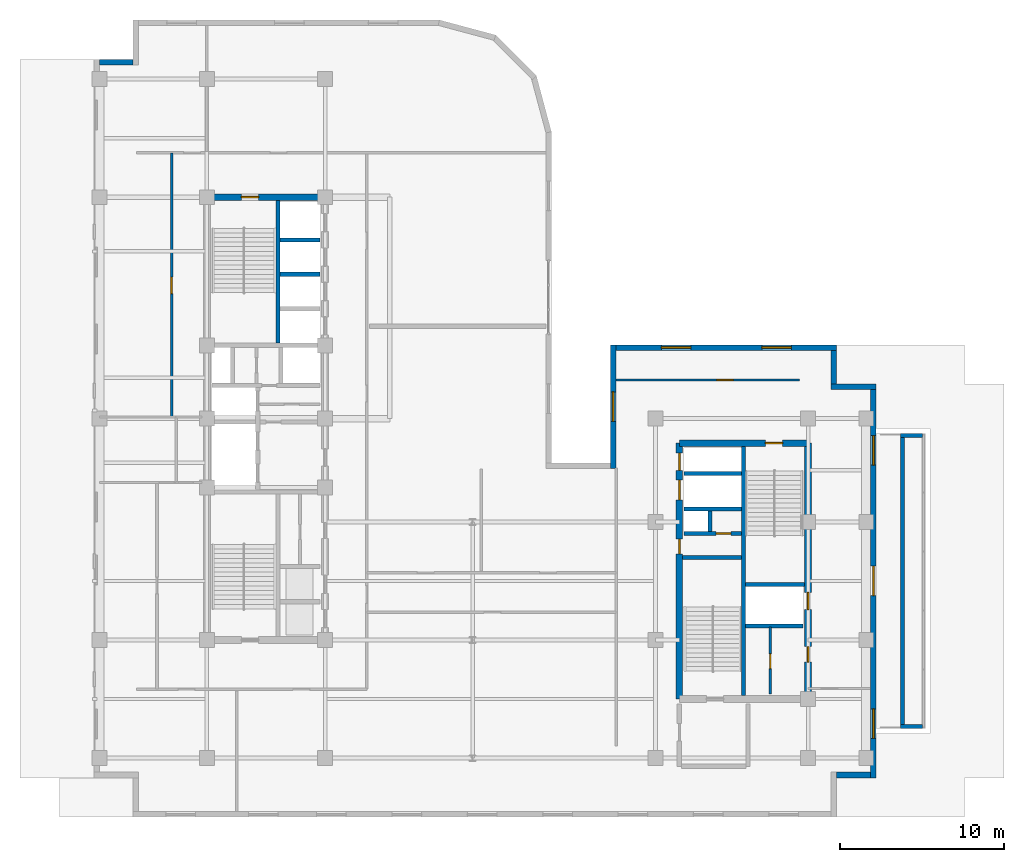
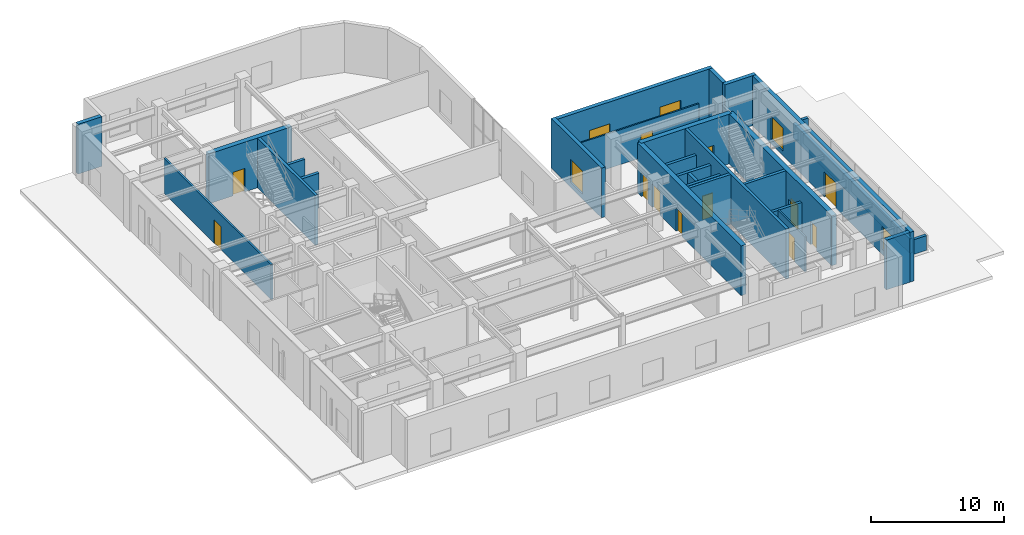
# One storey, part 9 of 16: 28 walls, 12 doors, 5 windows, 17 openings.
"""IFC4 building model written with IfcOpenShell, lengths in metres."""

from ifc_helpers import new_model, entity, si_unit, converted_unit, direction, frame, origin_with_axes, origin_2d_with_axis, place, context, subcontext, project, spatial, polyline, rectangle, outline, extrude, material, layer, layer_set, type_object, element, fill, save


model = new_model("IFC4")

# Units and contexts
model_context = context("Model", 3, precision=1e-05, world=origin_with_axes(), true_north=direction((0.0, 1.0)))
body_context = subcontext(model_context, "Body", "Model", "MODEL_VIEW")
ifc_project = project(units=[si_unit("LENGTHUNIT", "METRE"), si_unit("AREAUNIT", "SQUARE_METRE"), si_unit("VOLUMEUNIT", "CUBIC_METRE"), converted_unit("PLANEANGLEUNIT", "DEGREE", entity("IfcPlaneAngleMeasure", 0.017453292519943295), si_unit("PLANEANGLEUNIT", "RADIAN"), dimensions=[0, 0, 0, 0, 0, 0, 0]), si_unit("MASSUNIT", "GRAM", prefix="KILO"), si_unit("THERMODYNAMICTEMPERATUREUNIT", "KELVIN")], contexts=[model_context])

# Site, building, storey
site_placement = place(None, origin_with_axes())
site = spatial("IfcSite", under=ifc_project, at=site_placement, CompositionType="ELEMENT")
building_placement = place(site_placement, origin_with_axes())
building = spatial("IfcBuilding", under=site, at=building_placement, Name="Varnlund Millrace Tower", CompositionType="ELEMENT")
storey_placement = place(building_placement, frame((0.0, 0.0, 219.9), z_axis=(0.0, 0.0, 1.0), x_axis=(1.0, 0.0, 0.0)))
storey = spatial("IfcBuildingStorey", under=building, at=storey_placement, Name="L54", CompositionType="ELEMENT", Elevation=219.9)

# Wall, opening, door
ifc_material_1 = material(Name="Concrete C60/75", Category="concrete")
ifc_layer_1 = layer(ifc_material_1, 0.42, Name="Concrete C60/75")
ifc_layer_set_1 = layer_set([ifc_layer_1], Name="Concrete C60/75")
wall_type_1 = type_object("IfcWallType", Name="Type-CoreWall-Shear-420-C60", PredefinedType="SHEAR", material=ifc_layer_set_1)
wall_1_placement = place(storey_placement, frame((11.4, 37.8, 0.0), z_axis=(0.0, 0.0, 1.0), x_axis=(1.0, 0.0, 0.0)))
wall_1 = element("IfcWall", 1, at=wall_1_placement, inside=storey, type_object=wall_type_1, Name="Type-CoreWall-Shear-420-C60", PredefinedType="SHEAR", context=body_context, shape_type="SweptSolid", body=[
    extrude(outline(polyline([(0.0, -0.21), (7.2, -0.21), (7.2, 0.21), (0.0, 0.21), (0.0, -0.21)])), origin_with_axes(), (0.0, 0.0, 1.0), 4.56),
])
opening_1_placement = place(wall_1_placement, frame((2.625, 0.0, 0.0), z_axis=(0.0, 0.0, 1.0), x_axis=(1.0, 0.0, 0.0)))
opening_1 = element("IfcOpeningElement", 2, at=opening_1_placement, cuts=wall_1, Name="Opening L54:DR-STA2", PredefinedType="OPENING", context=body_context, shape_type="SweptSolid", body=[
    extrude(rectangle(XDim=1.05, YDim=0.44, at=origin_2d_with_axis()), origin_with_axes(), (0.0, 0.0, 1.0), 2.15),
])
ifc_material_2 = material(Name="Fire-rated hollow steel door", Category="steel")
door_type_1 = type_object("IfcDoorType", Name="Type-FireDoor-Stair-1050X2150", OperationType="NOTDEFINED", PredefinedType="DOOR", material=ifc_material_2)
door_1_placement = place(wall_1_placement, frame((2.625, 0.0, 0.0), z_axis=(0.0, 0.0, 1.0), x_axis=(1.0, 0.0, 0.0)))
door_1 = element("IfcDoor", 3, at=door_1_placement, inside=storey, type_object=door_type_1, Name="Type-FireDoor-Stair-1050X2150", OperationType="SINGLE_SWING_RIGHT", OverallHeight=2.15, OverallWidth=1.05, PredefinedType="DOOR", context=body_context, shape_type="SweptSolid", body=[
    extrude(rectangle(XDim=1.05, YDim=0.09, at=origin_2d_with_axis()), origin_with_axes(), (0.0, 0.0, 1.0), 2.15),
])
fill(opening_1, door_1)

# Wall, openings, doors
wall_2_placement = place(storey_placement, frame((40.2, 7.2, 0.0), z_axis=(0.0, 0.0, 1.0), x_axis=(0.0, 1.0, 0.0)))
wall_2 = element("IfcWall", 4, at=wall_2_placement, inside=storey, type_object=wall_type_1, Name="Type-CoreWall-Shear-420-C60", PredefinedType="SHEAR", context=body_context, shape_type="SweptSolid", body=[
    extrude(outline(polyline([(0.0, -0.21), (15.6, -0.21), (15.6, 0.21), (0.0, 0.21), (0.0, -0.21)])), origin_with_axes(), (0.0, 0.0, 1.0), 4.56),
])
opening_2_placement = place(wall_2_placement, frame((14.475, 0.0, 0.0), z_axis=(0.0, 0.0, 1.0), x_axis=(1.0, 0.0, 0.0)))
opening_2 = element("IfcOpeningElement", 5, at=opening_2_placement, cuts=wall_2, Name="Opening L54:LD-ELV-M4", PredefinedType="OPENING", context=body_context, shape_type="SweptSolid", body=[
    extrude(rectangle(XDim=1.05, YDim=0.44, at=origin_2d_with_axis()), origin_with_axes(), (0.0, 0.0, 1.0), 2.15),
])
opening_3_placement = place(wall_2_placement, frame((12.75, 0.0, 0.0), z_axis=(0.0, 0.0, 1.0), x_axis=(1.0, 0.0, 0.0)))
opening_3 = element("IfcOpeningElement", 6, at=opening_3_placement, cuts=wall_2, Name="Opening L54:LD-SRV2", PredefinedType="OPENING", context=body_context, shape_type="SweptSolid", body=[
    extrude(rectangle(XDim=1.2, YDim=0.44, at=origin_2d_with_axis()), origin_with_axes(), (0.0, 0.0, 1.0), 2.15),
])
opening_4_placement = place(wall_2_placement, frame((9.3, 0.0, 0.0), z_axis=(0.0, 0.0, 1.0), x_axis=(1.0, 0.0, 0.0)))
opening_4 = element("IfcOpeningElement", 7, at=opening_4_placement, cuts=wall_2, Name="Opening L54:DR-CB-JAN", PredefinedType="OPENING", context=body_context, shape_type="SweptSolid", body=[
    extrude(rectangle(XDim=0.9, YDim=0.44, at=origin_2d_with_axis()), origin_with_axes(), (0.0, 0.0, 1.0), 2.15),
])
ifc_material_3 = material(Name="Fire-rated hollow steel service closet door", Category="steel")
door_type_2 = type_object("IfcDoorType", Name="Type-FireDoor-Closet-900X2150", OperationType="NOTDEFINED", PredefinedType="DOOR", material=ifc_material_3)
door_2_placement = place(wall_2_placement, frame((9.3, 0.0, 0.0), z_axis=(0.0, 0.0, 1.0), x_axis=(1.0, 0.0, 0.0)))
door_2 = element("IfcDoor", 8, at=door_2_placement, inside=storey, type_object=door_type_2, Name="Type-FireDoor-Closet-900X2150", OperationType="SINGLE_SWING_RIGHT", OverallHeight=2.15, OverallWidth=0.9, PredefinedType="DOOR", context=body_context, shape_type="SweptSolid", body=[
    extrude(rectangle(XDim=0.9, YDim=0.09, at=origin_2d_with_axis()), origin_with_axes(), (0.0, 0.0, 1.0), 2.15),
])
fill(opening_4, door_2)
ifc_material_4 = material(Name="Architectural bronze sliding landing door")
door_type_3 = type_object("IfcDoorType", Name="Type-LiftLandingDoor-Compact-1050X2150", OperationType="NOTDEFINED", PredefinedType="DOOR", material=ifc_material_4)
door_3_placement = place(wall_2_placement, frame((14.475, 0.0, 0.0), z_axis=(0.0, 0.0, 1.0), x_axis=(1.0, 0.0, 0.0)))
door_3 = element("IfcDoor", 9, at=door_3_placement, inside=storey, type_object=door_type_3, Name="Type-LiftLandingDoor-Compact-1050X2150", OperationType="SLIDING_TO_RIGHT", OverallHeight=2.15, OverallWidth=1.05, PredefinedType="DOOR", context=body_context, shape_type="SweptSolid", body=[
    extrude(rectangle(XDim=1.05, YDim=0.09, at=origin_2d_with_axis()), origin_with_axes(), (0.0, 0.0, 1.0), 2.15),
])
fill(opening_2, door_3)
ifc_material_5 = material(Name="Heavy-duty freight sliding landing door")
door_type_4 = type_object("IfcDoorType", Name="Type-LiftLandingDoor-Service-1200X2150", OperationType="NOTDEFINED", PredefinedType="DOOR", material=ifc_material_5)
door_4_placement = place(wall_2_placement, frame((12.75, 0.0, 0.0), z_axis=(0.0, 0.0, 1.0), x_axis=(1.0, 0.0, 0.0)))
door_4 = element("IfcDoor", 10, at=door_4_placement, inside=storey, type_object=door_type_4, Name="Type-LiftLandingDoor-Service-1200X2150", OperationType="DOUBLE_DOOR_SLIDING", OverallHeight=2.15, OverallWidth=1.2, PredefinedType="DOOR", context=body_context, shape_type="SweptSolid", body=[
    extrude(rectangle(XDim=1.2, YDim=0.09, at=origin_2d_with_axis()), origin_with_axes(), (0.0, 0.0, 1.0), 2.15),
])
fill(opening_3, door_4)

# Wall, opening, door
wall_3_placement = place(storey_placement, frame((40.2, 22.8, 0.0), z_axis=(0.0, 0.0, 1.0), x_axis=(1.0, 0.0, 0.0)))
wall_3 = element("IfcWall", 11, at=wall_3_placement, inside=storey, type_object=wall_type_1, Name="Type-CoreWall-Shear-420-C60", PredefinedType="SHEAR", context=body_context, shape_type="SweptSolid", body=[
    extrude(outline(polyline([(0.0, -0.21), (7.85, -0.21), (7.85, 0.21), (0.0, 0.21), (0.0, -0.21)])), origin_with_axes(), (0.0, 0.0, 1.0), 4.56),
])
opening_5_placement = place(wall_3_placement, frame((5.775, 0.0, 0.0), z_axis=(0.0, 0.0, 1.0), x_axis=(1.0, 0.0, 0.0)))
opening_5 = element("IfcOpeningElement", 12, at=opening_5_placement, cuts=wall_3, Name="Opening L54:DR-STB2", PredefinedType="OPENING", context=body_context, shape_type="SweptSolid", body=[
    extrude(rectangle(XDim=1.05, YDim=0.44, at=origin_2d_with_axis()), origin_with_axes(), (0.0, 0.0, 1.0), 2.15),
])
door_5_placement = place(wall_3_placement, frame((5.775, 0.0, 0.0), z_axis=(0.0, 0.0, 1.0), x_axis=(1.0, 0.0, 0.0)))
door_5 = element("IfcDoor", 13, at=door_5_placement, inside=storey, type_object=door_type_1, Name="Type-FireDoor-Stair-1050X2150", OperationType="SINGLE_SWING_RIGHT", OverallHeight=2.15, OverallWidth=1.05, PredefinedType="DOOR", context=body_context, shape_type="SweptSolid", body=[
    extrude(rectangle(XDim=1.05, YDim=0.09, at=origin_2d_with_axis()), origin_with_axes(), (0.0, 0.0, 1.0), 2.15),
])
fill(opening_5, door_5)

# Wall, openings, doors
wall_4_placement = place(storey_placement, frame((48.05, 7.2, 0.0), z_axis=(0.0, 0.0, 1.0), x_axis=(0.0, 1.0, 0.0)))
wall_4 = element("IfcWall", 14, at=wall_4_placement, inside=storey, type_object=wall_type_1, Name="Type-CoreWall-Shear-420-C60", PredefinedType="SHEAR", context=body_context, shape_type="SweptSolid", body=[
    extrude(outline(polyline([(0.0, -0.21), (15.6, -0.21), (15.6, 0.21), (0.0, 0.21), (0.0, -0.21)])), origin_with_axes(), (0.0, 0.0, 1.0), 4.56),
])
opening_6_placement = place(wall_4_placement, frame((5.975, 0.0, 0.0), z_axis=(0.0, 0.0, 1.0), x_axis=(1.0, 0.0, 0.0)))
opening_6 = element("IfcOpeningElement", 15, at=opening_6_placement, cuts=wall_4, Name="Opening L54:LD-ELV-M3", PredefinedType="OPENING", context=body_context, shape_type="SweptSolid", body=[
    extrude(rectangle(XDim=1.05, YDim=0.44, at=origin_2d_with_axis()), origin_with_axes(), (0.0, 0.0, 1.0), 2.15),
])
opening_7_placement = place(wall_4_placement, frame((2.725, 0.0, 0.0), z_axis=(0.0, 0.0, 1.0), x_axis=(1.0, 0.0, 0.0)))
opening_7 = element("IfcOpeningElement", 16, at=opening_7_placement, cuts=wall_4, Name="Opening L54:DR-CB-WC2", PredefinedType="OPENING", context=body_context, shape_type="SweptSolid", body=[
    extrude(rectangle(XDim=0.95, YDim=0.44, at=origin_2d_with_axis()), origin_with_axes(), (0.0, 0.0, 1.0), 2.15),
])
ifc_material_6 = material(Name="Fire-rated hollow steel core service door", Category="steel")
door_type_5 = type_object("IfcDoorType", Name="Type-FireDoor-Service-950X2150", OperationType="NOTDEFINED", PredefinedType="DOOR", material=ifc_material_6)
door_6_placement = place(wall_4_placement, frame((2.725, 0.0, 0.0), z_axis=(0.0, 0.0, 1.0), x_axis=(1.0, 0.0, 0.0)))
door_6 = element("IfcDoor", 17, at=door_6_placement, inside=storey, type_object=door_type_5, Name="Type-FireDoor-Service-950X2150", OperationType="SINGLE_SWING_LEFT", OverallHeight=2.15, OverallWidth=0.95, PredefinedType="DOOR", context=body_context, shape_type="SweptSolid", body=[
    extrude(rectangle(XDim=0.95, YDim=0.09, at=origin_2d_with_axis()), origin_with_axes(), (0.0, 0.0, 1.0), 2.15),
])
fill(opening_7, door_6)
door_7_placement = place(wall_4_placement, frame((5.975, 0.0, 0.0), z_axis=(0.0, 0.0, 1.0), x_axis=(1.0, 0.0, 0.0)))
door_7 = element("IfcDoor", 18, at=door_7_placement, inside=storey, type_object=door_type_3, Name="Type-LiftLandingDoor-Compact-1050X2150", OperationType="SLIDING_TO_LEFT", OverallHeight=2.15, OverallWidth=1.05, PredefinedType="DOOR", context=body_context, shape_type="SweptSolid", body=[
    extrude(rectangle(XDim=1.05, YDim=0.09, at=origin_2d_with_axis()), origin_with_axes(), (0.0, 0.0, 1.0), 2.15),
])
fill(opening_6, door_7)

# Wall, opening, window
ifc_material_7 = material(Name="Precast concrete C50/60", Category="concrete")
ifc_layer_2 = layer(ifc_material_7, 0.34, Name="Precast concrete C50/60")
ifc_layer_set_2 = layer_set([ifc_layer_2], Name="Precast concrete C50/60")
wall_type_2 = type_object("IfcWallType", Name="Type-ExtWall-Precast-Upper-340", PredefinedType="SOLIDWALL", material=ifc_layer_set_2)
wall_5_placement = place(storey_placement, frame((36.17, 21.26, 0.0), z_axis=(0.0, 0.0, 1.0), x_axis=(0.0, 1.0, 0.0)))
wall_5 = element("IfcWall", 19, at=wall_5_placement, inside=storey, type_object=wall_type_2, Name="Type-ExtWall-Precast-Upper-340", PredefinedType="SOLIDWALL", context=body_context, shape_type="SweptSolid", body=[
    extrude(outline(polyline([(0.0, -0.17), (7.54, -0.17), (7.54, 0.17), (0.0, 0.17), (0.0, -0.17)])), origin_with_axes(), (0.0, 0.0, 1.0), 4.56),
])
opening_8_placement = place(wall_5_placement, frame((3.77, 0.0, 0.45), z_axis=(0.0, 0.0, 1.0), x_axis=(1.0, 0.0, 0.0)))
opening_8 = element("IfcOpeningElement", 20, at=opening_8_placement, cuts=wall_5, Name="Opening L54:WN-01", PredefinedType="OPENING", context=body_context, shape_type="SweptSolid", body=[
    extrude(rectangle(XDim=1.8, YDim=0.36, at=origin_2d_with_axis()), origin_with_axes(), (0.0, 0.0, 1.0), 2.1),
])
ifc_material_8 = material(Name="Argon low-e triple glazing in thermally broken bronze frame", Category="glass")
window_type = type_object("IfcWindowType", Name="Type-Window-Punched-1800X2100", PartitioningType="SINGLE_PANEL", PredefinedType="WINDOW", material=ifc_material_8)
window_1_placement = place(wall_5_placement, frame((3.77, 0.0, 0.45), z_axis=(0.0, 0.0, 1.0), x_axis=(1.0, 0.0, 0.0)))
window_1 = element("IfcWindow", 21, at=window_1_placement, inside=storey, type_object=window_type, Name="Type-Window-Punched-1800X2100", OverallHeight=2.1, OverallWidth=1.8, PredefinedType="WINDOW", context=body_context, shape_type="SweptSolid", body=[
    extrude(rectangle(XDim=1.8, YDim=0.09, at=origin_2d_with_axis()), origin_with_axes(), (0.0, 0.0, 1.0), 2.1),
])
fill(opening_8, window_1)

# Wall, openings, windows
wall_6_placement = place(storey_placement, frame((36.34, 28.63, 0.0), z_axis=(0.0, 0.0, 1.0), x_axis=(1.0, 0.0, 0.0)))
wall_6 = element("IfcWall", 22, at=wall_6_placement, inside=storey, type_object=wall_type_2, Name="Type-ExtWall-Precast-Upper-340", PredefinedType="SOLIDWALL", context=body_context, shape_type="SweptSolid", body=[
    extrude(outline(polyline([(0.0, -0.17), (13.46, -0.17), (13.46, 0.17), (0.0, 0.17), (0.0, -0.17)])), origin_with_axes(), (0.0, 0.0, 1.0), 4.56),
])
opening_9_placement = place(wall_6_placement, frame((3.665, 0.0, 0.45), z_axis=(0.0, 0.0, 1.0), x_axis=(1.0, 0.0, 0.0)))
opening_9 = element("IfcOpeningElement", 23, at=opening_9_placement, cuts=wall_6, Name="Opening L54:WN-02", PredefinedType="OPENING", context=body_context, shape_type="SweptSolid", body=[
    extrude(rectangle(XDim=1.8, YDim=0.36, at=origin_2d_with_axis()), origin_with_axes(), (0.0, 0.0, 1.0), 2.1),
])
opening_10_placement = place(wall_6_placement, frame((9.795, 0.0, 0.45), z_axis=(0.0, 0.0, 1.0), x_axis=(1.0, 0.0, 0.0)))
opening_10 = element("IfcOpeningElement", 24, at=opening_10_placement, cuts=wall_6, Name="Opening L54:WN-03", PredefinedType="OPENING", context=body_context, shape_type="SweptSolid", body=[
    extrude(rectangle(XDim=1.8, YDim=0.36, at=origin_2d_with_axis()), origin_with_axes(), (0.0, 0.0, 1.0), 2.1),
])
window_2_placement = place(wall_6_placement, frame((3.665, 0.0, 0.45), z_axis=(0.0, 0.0, 1.0), x_axis=(1.0, 0.0, 0.0)))
window_2 = element("IfcWindow", 25, at=window_2_placement, inside=storey, type_object=window_type, Name="Type-Window-Punched-1800X2100", OverallHeight=2.1, OverallWidth=1.8, PredefinedType="WINDOW", context=body_context, shape_type="SweptSolid", body=[
    extrude(rectangle(XDim=1.8, YDim=0.09, at=origin_2d_with_axis()), origin_with_axes(), (0.0, 0.0, 1.0), 2.1),
])
fill(opening_9, window_2)
window_3_placement = place(wall_6_placement, frame((9.795, 0.0, 0.45), z_axis=(0.0, 0.0, 1.0), x_axis=(1.0, 0.0, 0.0)))
window_3 = element("IfcWindow", 26, at=window_3_placement, inside=storey, type_object=window_type, Name="Type-Window-Punched-1800X2100", OverallHeight=2.1, OverallWidth=1.8, PredefinedType="WINDOW", context=body_context, shape_type="SweptSolid", body=[
    extrude(rectangle(XDim=1.8, YDim=0.09, at=origin_2d_with_axis()), origin_with_axes(), (0.0, 0.0, 1.0), 2.1),
])
fill(opening_10, window_3)

# Walls
wall_7_placement = place(storey_placement, frame((49.63, 28.46, 0.0), z_axis=(0.0, 0.0, 1.0), x_axis=(0.0, -1.0, 0.0)))
element("IfcWall", 27, at=wall_7_placement, inside=storey, type_object=wall_type_2, Name="Type-ExtWall-Precast-Upper-340", PredefinedType="SOLIDWALL", context=body_context, shape_type="SweptSolid", body=[
    extrude(outline(polyline([(0.0, -0.17), (2.06, -0.17), (2.06, 0.17), (0.0, 0.17), (0.0, -0.17)])), origin_with_axes(), (0.0, 0.0, 1.0), 4.56),
])
wall_8_placement = place(storey_placement, frame((49.46, 26.23, 0.0), z_axis=(0.0, 0.0, 1.0), x_axis=(1.0, 0.0, 0.0)))
element("IfcWall", 28, at=wall_8_placement, inside=storey, type_object=wall_type_2, Name="Type-ExtWall-Precast-Upper-340", PredefinedType="SOLIDWALL", context=body_context, shape_type="SweptSolid", body=[
    extrude(outline(polyline([(0.0, -0.17), (2.74, -0.17), (2.74, 0.17), (0.0, 0.17), (0.0, -0.17)])), origin_with_axes(), (0.0, 0.0, 1.0), 4.56),
])

# Wall, openings, door, windows
wall_9_placement = place(storey_placement, frame((52.03, 26.06, 0.0), z_axis=(0.0, 0.0, 1.0), x_axis=(0.0, -1.0, 0.0)))
wall_9 = element("IfcWall", 29, at=wall_9_placement, inside=storey, type_object=wall_type_2, Name="Type-ExtWall-Precast-Upper-340", PredefinedType="SOLIDWALL", context=body_context, shape_type="SweptSolid", body=[
    extrude(outline(polyline([(0.0, -0.17), (23.66, -0.17), (23.66, 0.17), (0.0, 0.17), (0.0, -0.17)])), origin_with_axes(), (0.0, 0.0, 1.0), 4.56),
])
opening_11_placement = place(wall_9_placement, frame((11.66, 0.0, 0.0), z_axis=(0.0, 0.0, 1.0), x_axis=(1.0, 0.0, 0.0)))
opening_11 = element("IfcOpeningElement", 30, at=opening_11_placement, cuts=wall_9, Name="Opening L54:DR-TERR-L54", PredefinedType="OPENING", context=body_context, shape_type="SweptSolid", body=[
    extrude(rectangle(XDim=1.8, YDim=0.36, at=origin_2d_with_axis()), origin_with_axes(), (0.0, 0.0, 1.0), 2.3),
])
opening_12_placement = place(wall_9_placement, frame((3.696, 0.0, 0.45), z_axis=(0.0, 0.0, 1.0), x_axis=(1.0, 0.0, 0.0)))
opening_12 = element("IfcOpeningElement", 31, at=opening_12_placement, cuts=wall_9, Name="Opening L54:WN-04", PredefinedType="OPENING", context=body_context, shape_type="SweptSolid", body=[
    extrude(rectangle(XDim=1.8, YDim=0.36, at=origin_2d_with_axis()), origin_with_axes(), (0.0, 0.0, 1.0), 2.1),
])
opening_13_placement = place(wall_9_placement, frame((20.364, 0.0, 0.45), z_axis=(0.0, 0.0, 1.0), x_axis=(1.0, 0.0, 0.0)))
opening_13 = element("IfcOpeningElement", 32, at=opening_13_placement, cuts=wall_9, Name="Opening L54:WN-05", PredefinedType="OPENING", context=body_context, shape_type="SweptSolid", body=[
    extrude(rectangle(XDim=1.8, YDim=0.36, at=origin_2d_with_axis()), origin_with_axes(), (0.0, 0.0, 1.0), 2.1),
])
ifc_material_9 = material(Name="Thermally broken architectural bronze and insulated glass door", Category="glass")
door_type_6 = type_object("IfcDoorType", Name="Type-ExtDoor-SkyPool-1800X2300", OperationType="NOTDEFINED", PredefinedType="DOOR", material=ifc_material_9)
door_8_placement = place(wall_9_placement, frame((11.66, 0.0, 0.0), z_axis=(0.0, 0.0, 1.0), x_axis=(1.0, 0.0, 0.0)))
door_8 = element("IfcDoor", 33, at=door_8_placement, inside=storey, type_object=door_type_6, Name="Type-ExtDoor-SkyPool-1800X2300", OperationType="DOUBLE_DOOR_SINGLE_SWING", OverallHeight=2.3, OverallWidth=1.8, PredefinedType="DOOR", context=body_context, shape_type="SweptSolid", body=[
    extrude(rectangle(XDim=1.8, YDim=0.09, at=origin_2d_with_axis()), origin_with_axes(), (0.0, 0.0, 1.0), 2.3),
])
fill(opening_11, door_8)
window_4_placement = place(wall_9_placement, frame((3.696, 0.0, 0.45), z_axis=(0.0, 0.0, 1.0), x_axis=(1.0, 0.0, 0.0)))
window_4 = element("IfcWindow", 34, at=window_4_placement, inside=storey, type_object=window_type, Name="Type-Window-Punched-1800X2100", OverallHeight=2.1, OverallWidth=1.8, PredefinedType="WINDOW", context=body_context, shape_type="SweptSolid", body=[
    extrude(rectangle(XDim=1.8, YDim=0.09, at=origin_2d_with_axis()), origin_with_axes(), (0.0, 0.0, 1.0), 2.1),
])
fill(opening_12, window_4)
window_5_placement = place(wall_9_placement, frame((20.364, 0.0, 0.45), z_axis=(0.0, 0.0, 1.0), x_axis=(1.0, 0.0, 0.0)))
window_5 = element("IfcWindow", 35, at=window_5_placement, inside=storey, type_object=window_type, Name="Type-Window-Punched-1800X2100", OverallHeight=2.1, OverallWidth=1.8, PredefinedType="WINDOW", context=body_context, shape_type="SweptSolid", body=[
    extrude(rectangle(XDim=1.8, YDim=0.09, at=origin_2d_with_axis()), origin_with_axes(), (0.0, 0.0, 1.0), 2.1),
])
fill(opening_13, window_5)

# Walls
for number, where, z_axis, x_axis, name in (
    (36, (51.86, 2.57, 0.0), (0.0, 0.0, 1.0), (-1.0, 0.0, 0.0), "Type-ExtWall-Precast-Upper-340"),
    (37, (4.84, 46.03, 0.0), (0.0, 0.0, 1.0), (1.0, 0.0, 0.0), "Type-ExtWall-Precast-Upper-340"),
):
    element("IfcWall", number, at=place(storey_placement, frame(where, z_axis=z_axis, x_axis=x_axis)), inside=storey, type_object=wall_type_2, Name=name, PredefinedType="SOLIDWALL", context=body_context, shape_type="SweptSolid", body=[
        extrude(outline(polyline([(0.0, -0.17), (2.06, -0.17), (2.06, 0.17), (0.0, 0.17), (0.0, -0.17)])), origin_with_axes(), (0.0, 0.0, 1.0), 4.56),
    ])
ifc_layer_3 = layer(ifc_material_7, 0.24, Name="Precast concrete C50/60")
ifc_layer_set_3 = layer_set([ifc_layer_3], Name="Precast concrete C50/60")
wall_type_3 = type_object("IfcWallType", Name="Type-ParapetWall-Precast-240", PredefinedType="PARAPET", material=ifc_layer_set_3)
for number, where, z_axis, x_axis, name in (
    (38, (53.7, 5.52, 0.0), (0.0, 0.0, 1.0), (1.0, 0.0, 0.0), "Type-ParapetWall-Precast-240"),
    (39, (53.7, 23.28, 0.0), (0.0, 0.0, 1.0), (1.0, 0.0, 0.0), "Type-ParapetWall-Precast-240"),
):
    element("IfcWall", number, at=place(storey_placement, frame(where, z_axis=z_axis, x_axis=x_axis)), inside=storey, type_object=wall_type_3, Name=name, PredefinedType="PARAPET", context=body_context, shape_type="SweptSolid", body=[
        extrude(outline(polyline([(0.0, -0.12), (1.32, -0.12), (1.32, 0.12), (0.0, 0.12), (0.0, -0.12)])), origin_with_axes(), (0.0, 0.0, 1.0), 1.35),
    ])
wall_10_placement = place(storey_placement, frame((53.82, 5.64, 0.0), z_axis=(0.0, 0.0, 1.0), x_axis=(0.0, 1.0, 0.0)))
element("IfcWall", 40, at=wall_10_placement, inside=storey, type_object=wall_type_3, Name="Type-ParapetWall-Precast-240", PredefinedType="PARAPET", context=body_context, shape_type="SweptSolid", body=[
    extrude(outline(polyline([(0.0, -0.12), (17.52, -0.12), (17.52, 0.12), (0.0, 0.12), (0.0, -0.12)])), origin_with_axes(), (0.0, 0.0, 1.0), 1.35),
])

# Wall, opening, door
ifc_material_10 = material(Name="Fire-rated gypsum board on cold-formed steel framing", Category="steel")
ifc_layer_4 = layer(ifc_material_10, 0.16, Name="Fire-rated gypsum board on cold-formed steel framing")
ifc_layer_set_4 = layer_set([ifc_layer_4], Name="Fire-rated gypsum board on cold-formed steel framing")
wall_type_4 = type_object("IfcWallType", Name="Type-Partition-Corridor-160", PredefinedType="PARTITIONING", material=ifc_layer_set_4)
wall_11_placement = place(storey_placement, frame((9.25, 24.4, 0.0), z_axis=(0.0, 0.0, 1.0), x_axis=(0.0, 1.0, 0.0)))
wall_11 = element("IfcWall", 41, at=wall_11_placement, inside=storey, type_object=wall_type_4, Name="Type-Partition-Corridor-160", PredefinedType="PARTITIONING", context=body_context, shape_type="SweptSolid", body=[
    extrude(outline(polyline([(0.0, -0.08), (16.1, -0.08), (16.1, 0.08), (0.0, 0.08), (0.0, -0.08)])), origin_with_axes(), (0.0, 0.0, 1.0), 3.2),
])
opening_14_placement = place(wall_11_placement, frame((8.025, 0.0, 0.0), z_axis=(0.0, 0.0, 1.0), x_axis=(1.0, 0.0, 0.0)))
opening_14 = element("IfcOpeningElement", 42, at=opening_14_placement, cuts=wall_11, Name="Opening L54:DR-WN-01", PredefinedType="OPENING", context=body_context, shape_type="SweptSolid", body=[
    extrude(rectangle(XDim=1.0, YDim=0.18, at=origin_2d_with_axis()), origin_with_axes(), (0.0, 0.0, 1.0), 2.15),
])
ifc_material_11 = material(Name="Solid-core white oak and bronze frame door")
door_type_7 = type_object("IfcDoorType", Name="Type-IntDoor-Office-1000X2150", OperationType="NOTDEFINED", PredefinedType="DOOR", material=ifc_material_11)
door_9_placement = place(wall_11_placement, frame((8.025, 0.0, 0.0), z_axis=(0.0, 0.0, 1.0), x_axis=(1.0, 0.0, 0.0)))
door_9 = element("IfcDoor", 43, at=door_9_placement, inside=storey, type_object=door_type_7, Name="Type-IntDoor-Office-1000X2150", OperationType="SINGLE_SWING_LEFT", OverallHeight=2.15, OverallWidth=1.0, PredefinedType="DOOR", context=body_context, shape_type="SweptSolid", body=[
    extrude(rectangle(XDim=1.0, YDim=0.09, at=origin_2d_with_axis()), origin_with_axes(), (0.0, 0.0, 1.0), 2.15),
])
fill(opening_14, door_9)

ifc_material_12 = material(Name="Gypsum board tenant partition", Category="gypsum")
ifc_layer_5 = layer(ifc_material_12, 0.125, Name="Gypsum board tenant partition")
ifc_layer_set_5 = layer_set([ifc_layer_5], Name="Gypsum board tenant partition")
wall_type_5 = type_object("IfcWallType", Name="Type-Partition-Tenant-125", PredefinedType="PARTITIONING", material=ifc_layer_set_5)
wall_12_placement = place(storey_placement, frame((36.335, 26.65, 0.0), z_axis=(0.0, 0.0, 1.0), x_axis=(1.0, 0.0, 0.0)))
wall_12 = element("IfcWall", 44, at=wall_12_placement, inside=storey, type_object=wall_type_5, Name="Type-Partition-Tenant-125", PredefinedType="PARTITIONING", context=body_context, shape_type="SweptSolid", body=[
    extrude(outline(polyline([(0.0, -0.0625), (11.195, -0.0625), (11.195, 0.0625), (0.0, 0.0625), (0.0, -0.0625)])), origin_with_axes(), (0.0, 0.0, 1.0), 3.2),
])
opening_15_placement = place(wall_12_placement, frame((6.665, 0.0, 0.0), z_axis=(0.0, 0.0, 1.0), x_axis=(1.0, 0.0, 0.0)))
opening_15 = element("IfcOpeningElement", 45, at=opening_15_placement, cuts=wall_12, Name="Opening L54:DR-WBN-01", PredefinedType="OPENING", context=body_context, shape_type="SweptSolid", body=[
    extrude(rectangle(XDim=1.0, YDim=0.145, at=origin_2d_with_axis()), origin_with_axes(), (0.0, 0.0, 1.0), 2.15),
])
door_10_placement = place(wall_12_placement, frame((6.665, 0.0, 0.0), z_axis=(0.0, 0.0, 1.0), x_axis=(1.0, 0.0, 0.0)))
door_10 = element("IfcDoor", 46, at=door_10_placement, inside=storey, type_object=door_type_7, Name="Type-IntDoor-Office-1000X2150", OperationType="SINGLE_SWING_RIGHT", OverallHeight=2.15, OverallWidth=1.0, PredefinedType="DOOR", context=body_context, shape_type="SweptSolid", body=[
    extrude(rectangle(XDim=1.0, YDim=0.075, at=origin_2d_with_axis()), origin_with_axes(), (0.0, 0.0, 1.0), 2.15),
])
fill(opening_15, door_10)

ifc_material_13 = material(Name="Moisture-resistant gypsum restroom partition", Category="gypsum")
ifc_layer_6 = layer(ifc_material_13, 0.14, Name="Moisture-resistant gypsum restroom partition")
ifc_layer_set_6 = layer_set([ifc_layer_6], Name="Moisture-resistant gypsum restroom partition")
wall_type_6 = type_object("IfcWallType", Name="Type-Partition-Wet-140", PredefinedType="PARTITIONING", material=ifc_layer_set_6)
wall_13_placement = place(storey_placement, frame((45.75, 7.5, 0.0), z_axis=(0.0, 0.0, 1.0), x_axis=(0.0, 1.0, 0.0)))
wall_13 = element("IfcWall", 47, at=wall_13_placement, inside=storey, type_object=wall_type_6, Name="Type-Partition-Wet-140", PredefinedType="PARTITIONING", context=body_context, shape_type="SweptSolid", body=[
    extrude(outline(polyline([(0.0, -0.07), (4.08, -0.07), (4.08, 0.07), (0.0, 0.07), (0.0, -0.07)])), origin_with_axes(), (0.0, 0.0, 1.0), 3.2),
])
opening_16_placement = place(wall_13_placement, frame((2.0, 0.0, 0.0), z_axis=(0.0, 0.0, 1.0), x_axis=(1.0, 0.0, 0.0)))
opening_16 = element("IfcOpeningElement", 48, at=opening_16_placement, cuts=wall_13, Name="Opening L54:DR-CB-WC1", PredefinedType="OPENING", context=body_context, shape_type="SweptSolid", body=[
    extrude(rectangle(XDim=0.9, YDim=0.16, at=origin_2d_with_axis()), origin_with_axes(), (0.0, 0.0, 1.0), 2.15),
])
ifc_material_14 = material(Name="Painted steel riser and closet door", Category="steel")
door_type_8 = type_object("IfcDoorType", Name="Type-IntDoor-Closet-900X2150", OperationType="NOTDEFINED", PredefinedType="DOOR", material=ifc_material_14)
door_11_placement = place(wall_13_placement, frame((2.0, 0.0, 0.0), z_axis=(0.0, 0.0, 1.0), x_axis=(1.0, 0.0, 0.0)))
door_11 = element("IfcDoor", 49, at=door_11_placement, inside=storey, type_object=door_type_8, Name="Type-IntDoor-Closet-900X2150", OperationType="SINGLE_SWING_LEFT", OverallHeight=2.15, OverallWidth=0.9, PredefinedType="DOOR", context=body_context, shape_type="SweptSolid", body=[
    extrude(rectangle(XDim=0.9, YDim=0.084, at=origin_2d_with_axis()), origin_with_axes(), (0.0, 0.0, 1.0), 2.15),
])
fill(opening_16, door_11)

ifc_layer_7 = layer(ifc_material_1, 0.25, Name="Concrete C60/75")
ifc_layer_set_7 = layer_set([ifc_layer_7], Name="Concrete C60/75")
wall_type_7 = type_object("IfcWallType", Name="Type-ShaftWall-Fire-250", PredefinedType="SOLIDWALL", material=ifc_layer_set_7)
wall_14_placement = place(storey_placement, frame((40.5, 17.3, 0.0), z_axis=(0.0, 0.0, 1.0), x_axis=(1.0, 0.0, 0.0)))
wall_14 = element("IfcWall", 50, at=wall_14_placement, inside=storey, type_object=wall_type_7, Name="Type-ShaftWall-Fire-250", PredefinedType="SOLIDWALL", context=body_context, shape_type="SweptSolid", body=[
    extrude(outline(polyline([(0.0, -0.125), (3.5, -0.125), (3.5, 0.125), (0.0, 0.125), (0.0, -0.125)])), origin_with_axes(), (0.0, 0.0, 1.0), 3.6),
])
opening_17_placement = place(wall_14_placement, frame((2.4, 0.0, 0.0), z_axis=(0.0, 0.0, 1.0), x_axis=(1.0, 0.0, 0.0)))
opening_17 = element("IfcOpeningElement", 51, at=opening_17_placement, cuts=wall_14, Name="Opening L54:DR-CB-ELC", PredefinedType="OPENING", context=body_context, shape_type="SweptSolid", body=[
    extrude(rectangle(XDim=0.9, YDim=0.27, at=origin_2d_with_axis()), origin_with_axes(), (0.0, 0.0, 1.0), 2.15),
])
door_12_placement = place(wall_14_placement, frame((2.4, 0.0, 0.0), z_axis=(0.0, 0.0, 1.0), x_axis=(1.0, 0.0, 0.0)))
door_12 = element("IfcDoor", 52, at=door_12_placement, inside=storey, type_object=door_type_2, Name="Type-FireDoor-Closet-900X2150", OperationType="SINGLE_SWING_LEFT", OverallHeight=2.15, OverallWidth=0.9, PredefinedType="DOOR", context=body_context, shape_type="SweptSolid", body=[
    extrude(rectangle(XDim=0.9, YDim=0.09, at=origin_2d_with_axis()), origin_with_axes(), (0.0, 0.0, 1.0), 2.15),
])
fill(opening_17, door_12)

# Walls
wall_15_placement = place(storey_placement, frame((40.5, 18.8, 0.0), z_axis=(0.0, 0.0, 1.0), x_axis=(1.0, 0.0, 0.0)))
element("IfcWall", 53, at=wall_15_placement, inside=storey, type_object=wall_type_7, Name="Type-ShaftWall-Fire-250", PredefinedType="SOLIDWALL", context=body_context, shape_type="SweptSolid", body=[
    extrude(outline(polyline([(0.0, -0.125), (3.5, -0.125), (3.5, 0.125), (0.0, 0.125), (0.0, -0.125)])), origin_with_axes(), (0.0, 0.0, 1.0), 3.6),
])
wall_16_placement = place(storey_placement, frame((42.075, 17.43, 0.0), z_axis=(0.0, 0.0, 1.0), x_axis=(0.0, 1.0, 0.0)))
element("IfcWall", 54, at=wall_16_placement, inside=storey, type_object=wall_type_7, Name="Type-ShaftWall-Fire-250", PredefinedType="SOLIDWALL", context=body_context, shape_type="SweptSolid", body=[
    extrude(outline(polyline([(0.0, -0.125), (1.24, -0.125), (1.24, 0.125), (0.0, 0.125), (0.0, -0.125)])), origin_with_axes(), (0.0, 0.0, 1.0), 3.6),
])
for number, where, z_axis, x_axis, name in (
    (55, (15.84, 33.1, 0.0), (0.0, 0.0, 1.0), (1.0, 0.0, 0.0), "Type-ShaftWall-Fire-250"),
    (56, (15.84, 35.2, 0.0), (0.0, 0.0, 1.0), (1.0, 0.0, 0.0), "Type-ShaftWall-Fire-250"),
):
    element("IfcWall", number, at=place(storey_placement, frame(where, z_axis=z_axis, x_axis=x_axis)), inside=storey, type_object=wall_type_7, Name=name, PredefinedType="SOLIDWALL", context=body_context, shape_type="SweptSolid", body=[
        extrude(outline(polyline([(0.0, -0.125), (2.46, -0.125), (2.46, 0.125), (0.0, 0.125), (0.0, -0.125)])), origin_with_axes(), (0.0, 0.0, 1.0), 3.2),
    ])
for number, where, z_axis, x_axis, name in (
    (57, (40.5, 20.96, 0.0), (0.0, 0.0, 1.0), (1.0, 0.0, 0.0), "Type-ShaftWall-Fire-250"),
    (58, (44.25, 11.66, 0.0), (0.0, 0.0, 1.0), (1.0, 0.0, 0.0), "Type-ShaftWall-Fire-250"),
):
    element("IfcWall", number, at=place(storey_placement, frame(where, z_axis=z_axis, x_axis=x_axis)), inside=storey, type_object=wall_type_7, Name=name, PredefinedType="SOLIDWALL", context=body_context, shape_type="SweptSolid", body=[
        extrude(outline(polyline([(0.0, -0.125), (3.5, -0.125), (3.5, 0.125), (0.0, 0.125), (0.0, -0.125)])), origin_with_axes(), (0.0, 0.0, 1.0), 3.2),
    ])
wall_type_8 = type_object("IfcWallType", Name="Type-StairWall-Shear-250", PredefinedType="SHEAR", material=ifc_layer_set_7)
wall_17_placement = place(storey_placement, frame((15.725, 28.9, 0.0), z_axis=(0.0, 0.0, 1.0), x_axis=(0.0, 1.0, 0.0)))
element("IfcWall", 59, at=wall_17_placement, inside=storey, type_object=wall_type_8, Name="Type-StairWall-Shear-250", PredefinedType="SHEAR", context=body_context, shape_type="SweptSolid", body=[
    extrude(outline(polyline([(0.0, -0.125), (8.69, -0.125), (8.69, 0.125), (0.0, 0.125), (0.0, -0.125)])), origin_with_axes(), (0.0, 0.0, 1.0), 4.56),
])
wall_18_placement = place(storey_placement, frame((44.125, 7.41, 0.0), z_axis=(0.0, 0.0, 1.0), x_axis=(0.0, 1.0, 0.0)))
element("IfcWall", 60, at=wall_18_placement, inside=storey, type_object=wall_type_8, Name="Type-StairWall-Shear-250", PredefinedType="SHEAR", context=body_context, shape_type="SweptSolid", body=[
    extrude(outline(polyline([(0.0, -0.125), (15.18, -0.125), (15.18, 0.125), (0.0, 0.125), (0.0, -0.125)])), origin_with_axes(), (0.0, 0.0, 1.0), 4.56),
])
for number, where, z_axis, x_axis, name in (
    (61, (40.41, 15.825, 0.0), (0.0, 0.0, 1.0), (1.0, 0.0, 0.0), "Type-StairWall-Shear-250"),
    (62, (44.25, 14.175, 0.0), (0.0, 0.0, 1.0), (1.0, 0.0, 0.0), "Type-StairWall-Shear-250"),
):
    element("IfcWall", number, at=place(storey_placement, frame(where, z_axis=z_axis, x_axis=x_axis)), inside=storey, type_object=wall_type_8, Name=name, PredefinedType="SHEAR", context=body_context, shape_type="SweptSolid", body=[
        extrude(outline(polyline([(0.0, -0.125), (3.59, -0.125), (3.59, 0.125), (0.0, 0.125), (0.0, -0.125)])), origin_with_axes(), (0.0, 0.0, 1.0), 4.56),
    ])

save(model, "model.ifc")
